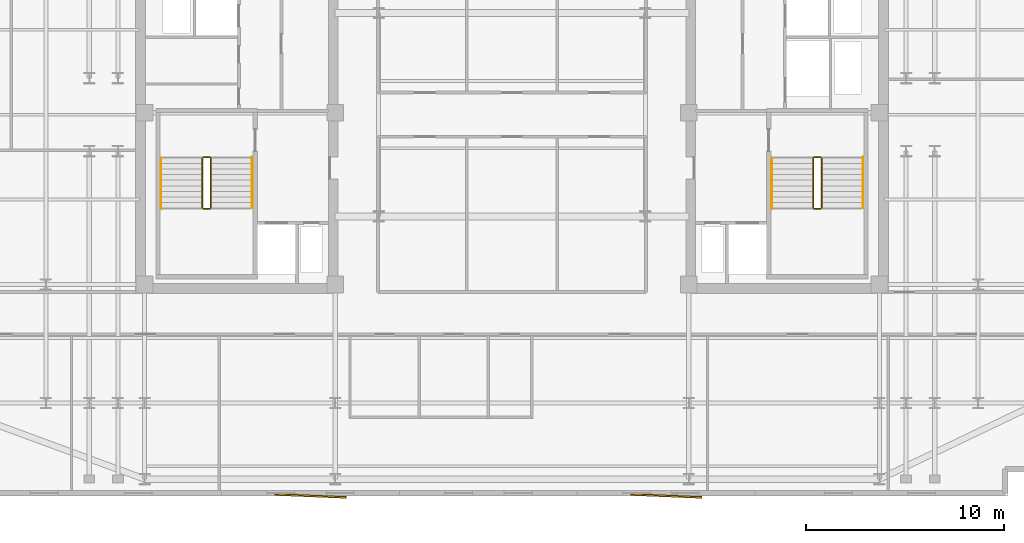
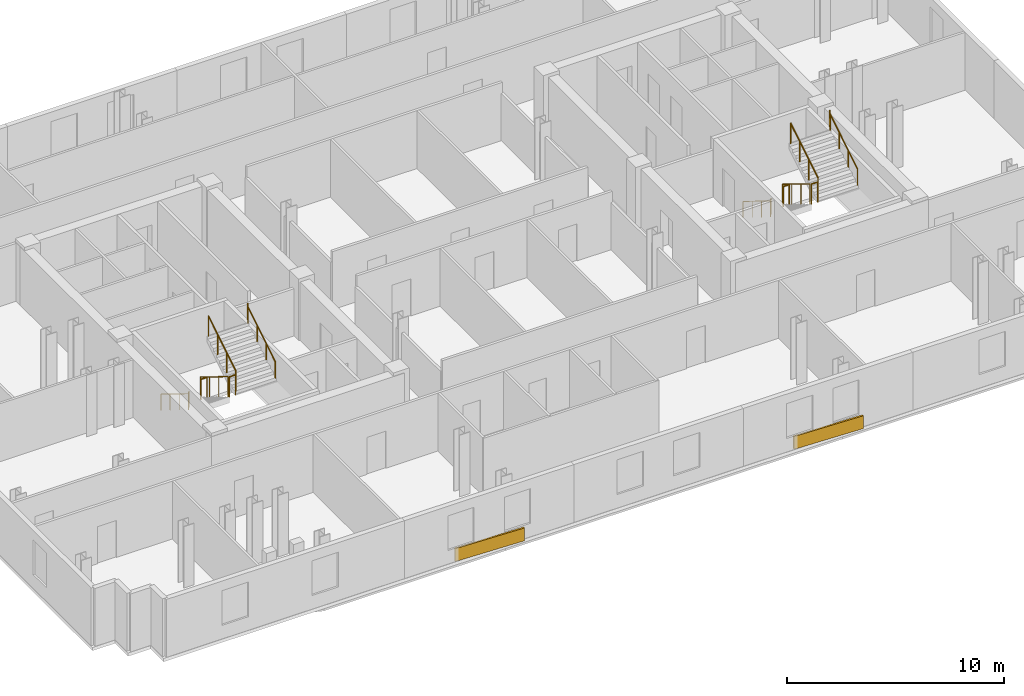
# One storey, part 8 of 9: 12 railings, 2 coverings.
"""IFC4 building model written with IfcOpenShell, lengths in metres."""

import ifcopenshell
import ifcopenshell.guid

model = None  # the IFC model being written
_history = None  # IfcOwnerHistory: only IFC2X3 demands one
_inside = {}  # id of a spatial element -> (the spatial element, [elements in it])
_under = {}  # id of a project, library or spatial element -> (it, [spatial elements below it])
_declared = {}  # id of a project -> (the project, [libraries it declares])
_typed = {}  # id of a type object -> (the type object, [elements of that type])
_made_of = {}  # id of a material, layer set ... -> (it, [elements and type objects made of it])


def new_model(schema):
    """Start an empty IFC model of exactly this schema.

    Asked for "IFC4X3", IfcOpenShell would pick the latest addendum, in which some entities
    have other attributes; the version numbers below select the first issue.
    IFC2X3 requires an IfcOwnerHistory on every rooted entity: one is made here for all.
    """
    global model, _history
    if schema == "IFC4X3":
        model = ifcopenshell.file(schema_version=(4, 3, 0, 0))
    else:
        model = ifcopenshell.file(schema=schema)
    _inside.clear()
    _under.clear()
    _declared.clear()
    _typed.clear()
    _made_of.clear()
    _history = None
    if model.schema == "IFC2X3":
        org = make("IfcOrganization", Name="unknown")
        user = make(
            "IfcPersonAndOrganization",
            ThePerson=make("IfcPerson", FamilyName="unknown"),
            TheOrganization=org,
        )
        app = make(
            "IfcApplication",
            ApplicationDeveloper=org,
            Version="unknown",
            ApplicationFullName="unknown",
            ApplicationIdentifier="unknown",
        )
        _history = make(
            "IfcOwnerHistory",
            OwningUser=user,
            OwningApplication=app,
            ChangeAction="ADDED",
            CreationDate=0,
        )
    return model


def make(cls, **values):
    """One entity of the class cls with the attributes given. An attribute that is None is left unset."""
    return model.create_entity(
        cls, **{name: value for name, value in values.items() if value is not None}
    )


def rooted(cls, **values):
    """An entity with a GlobalId (a new one), such as an element, a storey or a relation."""
    return make(cls, GlobalId=ifcopenshell.guid.new(), OwnerHistory=_history, **values)


def si_unit(unit_type, name, prefix=None):
    """IfcSIUnit, for example si_unit("LENGTHUNIT", "METRE", prefix="MILLI")."""
    return make("IfcSIUnit", UnitType=unit_type, Prefix=prefix, Name=name)


def assignment(units):
    """IfcUnitAssignment: the units of a project."""
    return None if units is None else make("IfcUnitAssignment", Units=units)


def point(xyz):
    """IfcCartesianPoint."""
    return None if xyz is None else make("IfcCartesianPoint", Coordinates=xyz)


def direction(xyz):
    """IfcDirection."""
    return None if xyz is None else make("IfcDirection", DirectionRatios=xyz)


def frame(location, z_axis=None, x_axis=None):
    """IfcAxis2Placement3D, a coordinate frame: its origin and axes. An axis left out is left unset."""
    return make(
        "IfcAxis2Placement3D",
        Location=point(location),
        Axis=direction(z_axis),
        RefDirection=direction(x_axis),
    )


def frame_2d(location, x_axis=None):
    """IfcAxis2Placement2D, a coordinate frame in the plane: its origin and x axis."""
    return make(
        "IfcAxis2Placement2D", Location=point(location), RefDirection=direction(x_axis)
    )


def origin():
    """The frame at (0, 0, 0) with its axes left unset."""
    return frame((0.0, 0.0, 0.0))


def origin_2d():
    """The frame at (0, 0) in the plane with its x axis left unset."""
    return frame_2d((0.0, 0.0))


def place(relative_to, where):
    """IfcLocalPlacement: puts the frame where relative to a parent placement (None: the world)."""
    return make(
        "IfcLocalPlacement", PlacementRelTo=relative_to, RelativePlacement=where
    )


def context(
    kind, dimensions, precision=None, world=None, true_north=None, identifier=None
):
    """IfcGeometricRepresentationContext, for example the 3D "Model" context."""
    return make(
        "IfcGeometricRepresentationContext",
        ContextIdentifier=identifier,
        ContextType=kind,
        CoordinateSpaceDimension=dimensions,
        Precision=precision,
        WorldCoordinateSystem=world,
        TrueNorth=true_north,
    )


def subcontext(parent, identifier, kind, view, scale=None):
    """IfcGeometricRepresentationSubContext, for example "Body" below "Model"."""
    return make(
        "IfcGeometricRepresentationSubContext",
        ContextIdentifier=identifier,
        ContextType=kind,
        ParentContext=parent,
        TargetScale=scale,
        TargetView=view,
    )


def project(units=None, contexts=None):
    """IfcProject with its units and contexts."""
    return rooted(
        "IfcProject",
        Name="project",
        RepresentationContexts=contexts,
        UnitsInContext=assignment(units),
    )


def spatial(cls, under=None, at=None, **own):
    """A site, building, storey or space (cls), placed at a placement, below another one or the project."""
    s = rooted(cls, ObjectPlacement=at, **own)
    if under is not None:
        _under.setdefault(under.id(), (under, []))[1].append(s)
    return s


def profile(cls, at=None, kind="AREA", **sizes):
    """A parametric profile (cls). Its sizes go by their IFC names, for example OverallWidth=200.0."""
    return make(cls, ProfileType=kind, Position=at, **sizes)


def rectangle(**sizes):
    """IfcRectangleProfileDef."""
    return profile("IfcRectangleProfileDef", **sizes)


def circle(**sizes):
    """IfcCircleProfileDef."""
    return profile("IfcCircleProfileDef", **sizes)


def extrude(swept, where, along, depth):
    """IfcExtrudedAreaSolid: the profile swept, set in the frame where, extruded along a direction by depth."""
    return make(
        "IfcExtrudedAreaSolid",
        SweptArea=swept,
        Position=where,
        ExtrudedDirection=direction(along),
        Depth=depth,
    )


def shape(context_of_items, identifier, shape_type, items):
    """IfcShapeRepresentation: the items that make up one representation, for example the "Body"."""
    return make(
        "IfcShapeRepresentation",
        ContextOfItems=context_of_items,
        RepresentationIdentifier=identifier,
        RepresentationType=shape_type,
        Items=items,
    )


def material(Name=None, Category=None):
    """IfcMaterial."""
    return make("IfcMaterial", Name=Name, Category=Category)


def layer(
    of_material, thickness, ventilated=None, Name=None, Category=None, Priority=None
):
    """IfcMaterialLayer: one layer of a wall or slab, of a material (None: an air gap)."""
    return make(
        "IfcMaterialLayer",
        Material=of_material,
        LayerThickness=thickness,
        IsVentilated=ventilated,
        Name=Name,
        Category=Category,
        Priority=Priority,
    )


def layer_set(layers, Name=None):
    """IfcMaterialLayerSet."""
    return make("IfcMaterialLayerSet", MaterialLayers=layers, LayerSetName=Name)


def made_of(thing, what):
    """Note that an element or type object is made of a material, layer set ...; save() writes the relation."""
    if what is not None:
        _made_of.setdefault(what.id(), (what, []))[1].append(thing)
    return thing


def type_object(cls, material=None, **own):
    """A type object (cls), such as IfcWallType, which elements share."""
    return made_of(rooted(cls, **own), material)


def element(
    cls,
    number,
    at=None,
    inside=None,
    cuts=None,
    type_object=None,
    material=None,
    context=None,
    identifier="Body",
    shape_type=None,
    held_by="IfcProductDefinitionShape",
    body=None,
    shapes=None,
    **own,
):
    """One element of the class cls, such as IfcWall. Its Tag is "e" and its number.

    at: its placement. inside: the storey or other place that contains it. cuts: it is an
    opening in that element (IfcRelVoidsElement). A single representation is given by context,
    identifier, shape_type and body (its items); several are given by shapes. held_by: the class
    of the entity that holds the representations. save() writes the other relations.
    """
    e = rooted(cls, Tag="e%d" % number, ObjectPlacement=at, **own)
    if body is not None:
        shapes = [shape(context, identifier, shape_type, body)]
    if shapes is not None:
        e.Representation = make(held_by, Representations=shapes)
    if inside is not None:
        _inside.setdefault(inside.id(), (inside, []))[1].append(e)
    if cuts is not None:
        rooted(
            "IfcRelVoidsElement", RelatingBuildingElement=cuts, RelatedOpeningElement=e
        )
    if type_object is not None:
        _typed.setdefault(type_object.id(), (type_object, []))[1].append(e)
    return made_of(e, material)


def aggregate(whole, parts):
    """IfcRelAggregates: a whole, such as a stair, and the parts it consists of."""
    return rooted("IfcRelAggregates", RelatingObject=whole, RelatedObjects=parts)


def save(model, path):
    """Write the relations noted so far, then the file.

    IfcRelAggregates (storeys below a building ...), IfcRelContainedInSpatialStructure (elements
    in a storey), IfcRelDefinesByType, IfcRelAssociatesMaterial and IfcRelDeclares: one each for
    every whole, place, type object, material and project.
    """
    for whole, parts in _under.values():
        aggregate(whole, parts)
    for where, things in _inside.values():
        rooted(
            "IfcRelContainedInSpatialStructure",
            RelatedElements=things,
            RelatingStructure=where,
        )
    for kind, things in _typed.values():
        rooted("IfcRelDefinesByType", RelatedObjects=things, RelatingType=kind)
    for what, things in _made_of.values():
        rooted("IfcRelAssociatesMaterial", RelatedObjects=things, RelatingMaterial=what)
    for by, libraries in _declared.values():
        rooted("IfcRelDeclares", RelatingContext=by, RelatedDefinitions=libraries)
    model.write(path)


model = new_model("IFC4")

# Units and contexts
model_context = context("Model", 3, precision=1e-05, world=origin(), true_north=direction((0.0, 1.0)))
body_context = subcontext(model_context, "Body", "Model", "MODEL_VIEW")
ifc_project = project(units=[si_unit("LENGTHUNIT", "METRE"), si_unit("AREAUNIT", "SQUARE_METRE"), si_unit("VOLUMEUNIT", "CUBIC_METRE"), si_unit("PLANEANGLEUNIT", "RADIAN"), si_unit("MASSUNIT", "GRAM", prefix="KILO")], contexts=[model_context])

# Site, building, storey
site_placement = place(None, origin())
site = spatial("IfcSite", under=ifc_project, at=site_placement, CompositionType="ELEMENT")
building_placement = place(site_placement, origin())
building = spatial("IfcBuilding", under=site, at=building_placement, Name="Velakula Bourse", CompositionType="ELEMENT")
storey_placement = place(building_placement, frame((0.0, 0.0, 232.64990234375)))
storey = spatial("IfcBuildingStorey", under=building, at=storey_placement, Name="L63", CompositionType="ELEMENT", Elevation=232.64990234375)

# Coverings
ifc_material_1 = material(Name="Red kilned clay facing brick masonry", Category="masonry")
ifc_layer = layer(ifc_material_1, 0.090087890625, Name="Red kilned clay facing brick masonry", Category="masonry")
ifc_layer_set = layer_set([ifc_layer], Name="Red kilned clay facing brick masonry")
covering_type = type_object("IfcCoveringType", Name="COV-BRK-FOLD-90", PredefinedType="CLADDING", material=ifc_layer_set)
for number, where, z_axis, x_axis, name in (
    (1, (-10.199951171875, -19.300048828125, 0.0), (0.0, 0.0, 1.0), (0.999158993058, -0.041003738744, 0.0), "L63 Folded Brick Facade Cladding Panel S-B2"),
    (2, (7.800048828125, -19.300048828125, 0.0), (0.0, 0.0, 1.0), (0.999158993058, -0.041003738744, 0.0), "L63 Folded Brick Facade Cladding Panel S-B4"),
):
    element("IfcCovering", number, at=place(storey_placement, frame(where, z_axis=z_axis, x_axis=x_axis)), inside=storey, type_object=covering_type, Name=name, PredefinedType="CLADDING", context=body_context, shape_type="SweptSolid", body=[
        extrude(rectangle(XDim=3.60009765625, YDim=0.090087890625, at=origin_2d()), origin(), (0.0, 0.0, 1.0), 0.719970703125),
    ])

# Railings
ifc_material_2 = material(Name="Brushed grade 316 stainless steel", Category="steel")
railing_type_1 = type_object("IfcRailingType", Name="RLG-STAIR-GUARD-1150", PredefinedType="BALUSTRADE", material=ifc_material_2)
railing_1_placement = place(storey_placement, frame((-15.672119140625, -2.199951171875, 0.172607421875)))
element("IfcRailing", 3, at=railing_1_placement, inside=storey, type_object=railing_type_1, Name="L63 ST-W1 stair guard 1", PredefinedType="BALUSTRADE", context=body_context, shape_type="SweptSolid", body=[
    extrude(circle(Radius=0.02490234375, at=origin_2d()), frame((0.0, 0.0, 1.125), z_axis=(0.0, -0.851400495292, 0.524516154772), x_axis=(1.0, 0.0, 0.0)), (0.0, 0.0, 1.0), 2.9599609375),
    extrude(circle(Radius=0.02099609375, at=origin_2d()), origin(), (0.0, 0.0, 1.0), 1.099853515625),
    extrude(circle(Radius=0.02099609375, at=origin_2d()), frame((0.0, -0.840087890625, 0.517578125)), (0.0, 0.0, 1.0), 1.099853515625),
    extrude(circle(Radius=0.02099609375, at=origin_2d()), frame((0.0, -1.679931640625, 1.034912109375)), (0.0, 0.0, 1.0), 1.099853515625),
    extrude(circle(Radius=0.02099609375, at=origin_2d()), frame((0.0, -2.52001953125, 1.552490234375)), (0.0, 0.0, 1.0), 1.099853515625),
])
railing_2_placement = place(storey_placement, frame((-15.6220703125, -4.77001953125, 1.72509765625)))
element("IfcRailing", 4, at=railing_2_placement, inside=storey, type_object=railing_type_1, Name="L63 ST-W1 stair guard 2", PredefinedType="BALUSTRADE", context=body_context, shape_type="SweptSolid", body=[
    extrude(circle(Radius=0.02490234375, at=origin_2d()), frame((0.0, 0.0, 1.125), z_axis=(1.0, 0.0, 0.0), x_axis=(0.0, 1.0, 0.0)), (0.0, 0.0, 1.0), 0.323974609375),
    extrude(circle(Radius=0.02099609375, at=origin_2d()), origin(), (0.0, 0.0, 1.0), 1.099853515625),
    extrude(circle(Radius=0.02099609375, at=origin_2d()), frame((0.323974609375, 0.0, 0.0)), (0.0, 0.0, 1.0), 1.099853515625),
])
railing_3_placement = place(storey_placement, frame((-15.248046875, -4.719970703125, 1.897705078125)))
element("IfcRailing", 5, at=railing_3_placement, inside=storey, type_object=railing_type_1, Name="L63 ST-W1 stair guard 3", PredefinedType="BALUSTRADE", context=body_context, shape_type="SweptSolid", body=[
    extrude(circle(Radius=0.02490234375, at=origin_2d()), frame((0.0, 0.0, 1.125), z_axis=(0.0, 0.851400495292, 0.524516154772), x_axis=(-1.0, 0.0, 0.0)), (0.0, 0.0, 1.0), 2.9599609375),
    extrude(circle(Radius=0.02099609375, at=origin_2d()), origin(), (0.0, 0.0, 1.0), 1.099853515625),
    extrude(circle(Radius=0.02099609375, at=origin_2d()), frame((0.0, 0.840087890625, 0.517578125)), (0.0, 0.0, 1.0), 1.099853515625),
    extrude(circle(Radius=0.02099609375, at=origin_2d()), frame((0.0, 1.679931640625, 1.034912109375)), (0.0, 0.0, 1.0), 1.099853515625),
    extrude(circle(Radius=0.02099609375, at=origin_2d()), frame((0.0, 2.52001953125, 1.552490234375)), (0.0, 0.0, 1.0), 1.099853515625),
])
railing_4_placement = place(storey_placement, frame((-15.6220703125, -2.14990234375, 0.0)))
element("IfcRailing", 6, at=railing_4_placement, inside=storey, type_object=railing_type_1, Name="L63 ST-W1 stair guard 4", PredefinedType="BALUSTRADE", context=body_context, shape_type="SweptSolid", body=[
    extrude(circle(Radius=0.02490234375, at=origin_2d()), frame((0.0, 0.0, 1.125), z_axis=(1.0, 0.0, 0.0), x_axis=(0.0, 1.0, 0.0)), (0.0, 0.0, 1.0), 0.323974609375),
    extrude(circle(Radius=0.02099609375, at=origin_2d()), origin(), (0.0, 0.0, 1.0), 1.099853515625),
    extrude(circle(Radius=0.02099609375, at=origin_2d()), frame((0.323974609375, 0.0, 0.0)), (0.0, 0.0, 1.0), 1.099853515625),
])
railing_5_placement = place(storey_placement, frame((15.248046875, -2.199951171875, 0.172607421875)))
element("IfcRailing", 7, at=railing_5_placement, inside=storey, type_object=railing_type_1, Name="L63 ST-E1 stair guard 1", PredefinedType="BALUSTRADE", context=body_context, shape_type="SweptSolid", body=[
    extrude(circle(Radius=0.02490234375, at=origin_2d()), frame((0.0, 0.0, 1.125), z_axis=(0.0, -0.851400495292, 0.524516154772), x_axis=(1.0, 0.0, 0.0)), (0.0, 0.0, 1.0), 2.9599609375),
    extrude(circle(Radius=0.02099609375, at=origin_2d()), origin(), (0.0, 0.0, 1.0), 1.099853515625),
    extrude(circle(Radius=0.02099609375, at=origin_2d()), frame((0.0, -0.840087890625, 0.517578125)), (0.0, 0.0, 1.0), 1.099853515625),
    extrude(circle(Radius=0.02099609375, at=origin_2d()), frame((0.0, -1.679931640625, 1.034912109375)), (0.0, 0.0, 1.0), 1.099853515625),
    extrude(circle(Radius=0.02099609375, at=origin_2d()), frame((0.0, -2.52001953125, 1.552490234375)), (0.0, 0.0, 1.0), 1.099853515625),
])
railing_6_placement = place(storey_placement, frame((15.298095703125, -4.77001953125, 1.72509765625)))
element("IfcRailing", 8, at=railing_6_placement, inside=storey, type_object=railing_type_1, Name="L63 ST-E1 stair guard 2", PredefinedType="BALUSTRADE", context=body_context, shape_type="SweptSolid", body=[
    extrude(circle(Radius=0.02490234375, at=origin_2d()), frame((0.0, 0.0, 1.125), z_axis=(1.0, 0.0, 0.0), x_axis=(0.0, 1.0, 0.0)), (0.0, 0.0, 1.0), 0.323974609375),
    extrude(circle(Radius=0.02099609375, at=origin_2d()), origin(), (0.0, 0.0, 1.0), 1.099853515625),
    extrude(circle(Radius=0.02099609375, at=origin_2d()), frame((0.323974609375, 0.0, 0.0)), (0.0, 0.0, 1.0), 1.099853515625),
])
railing_7_placement = place(storey_placement, frame((15.672119140625, -4.719970703125, 1.897705078125)))
element("IfcRailing", 9, at=railing_7_placement, inside=storey, type_object=railing_type_1, Name="L63 ST-E1 stair guard 3", PredefinedType="BALUSTRADE", context=body_context, shape_type="SweptSolid", body=[
    extrude(circle(Radius=0.02490234375, at=origin_2d()), frame((0.0, 0.0, 1.125), z_axis=(0.0, 0.851400495292, 0.524516154772), x_axis=(-1.0, 0.0, 0.0)), (0.0, 0.0, 1.0), 2.9599609375),
    extrude(circle(Radius=0.02099609375, at=origin_2d()), origin(), (0.0, 0.0, 1.0), 1.099853515625),
    extrude(circle(Radius=0.02099609375, at=origin_2d()), frame((0.0, 0.840087890625, 0.517578125)), (0.0, 0.0, 1.0), 1.099853515625),
    extrude(circle(Radius=0.02099609375, at=origin_2d()), frame((0.0, 1.679931640625, 1.034912109375)), (0.0, 0.0, 1.0), 1.099853515625),
    extrude(circle(Radius=0.02099609375, at=origin_2d()), frame((0.0, 2.52001953125, 1.552490234375)), (0.0, 0.0, 1.0), 1.099853515625),
])
railing_8_placement = place(storey_placement, frame((15.298095703125, -2.14990234375, 0.0)))
element("IfcRailing", 10, at=railing_8_placement, inside=storey, type_object=railing_type_1, Name="L63 ST-E1 stair guard 4", PredefinedType="BALUSTRADE", context=body_context, shape_type="SweptSolid", body=[
    extrude(circle(Radius=0.02490234375, at=origin_2d()), frame((0.0, 0.0, 1.125), z_axis=(1.0, 0.0, 0.0), x_axis=(0.0, 1.0, 0.0)), (0.0, 0.0, 1.0), 0.323974609375),
    extrude(circle(Radius=0.02099609375, at=origin_2d()), origin(), (0.0, 0.0, 1.0), 1.099853515625),
    extrude(circle(Radius=0.02099609375, at=origin_2d()), frame((0.323974609375, 0.0, 0.0)), (0.0, 0.0, 1.0), 1.099853515625),
])
railing_type_2 = type_object("IfcRailingType", Name="RLG-STAIR-HAND-920", PredefinedType="HANDRAIL", material=ifc_material_2)
railing_9_placement = place(storey_placement, frame((-17.77001953125, -2.199951171875, 0.172607421875)))
element("IfcRailing", 11, at=railing_9_placement, inside=storey, type_object=railing_type_2, Name="L63 ST-W1 stair handrail 1", PredefinedType="HANDRAIL", context=body_context, shape_type="SweptSolid", body=[
    extrude(circle(Radius=0.02099609375, at=origin_2d()), frame((0.0, 0.0, 0.89892578125), z_axis=(0.0, -0.851400495292, 0.524516154772), x_axis=(1.0, 0.0, 0.0)), (0.0, 0.0, 1.0), 2.9599609375),
    extrude(circle(Radius=0.02099609375, at=origin_2d()), frame((0.0, -2.52001953125, 2.451416015625), z_axis=(0.0, -0.22596628056, 0.974135124123), x_axis=(1.0, 0.0, 0.0)), (0.0, 0.0, 1.0), 0.17724609375),
    extrude(circle(Radius=0.02099609375, at=origin_2d()), frame((0.0, -2.56005859375, 2.6240234375), z_axis=(0.0, -1.0, 0.0), x_axis=(1.0, 0.0, 0.0)), (0.0, 0.0, 1.0), 0.0048828125),
    extrude(circle(Radius=0.02099609375, at=origin_2d()), origin(), (0.0, 0.0, 1.0), 0.8779296875),
    extrude(circle(Radius=0.02099609375, at=origin_2d()), frame((0.0, -0.840087890625, 0.517578125)), (0.0, 0.0, 1.0), 0.8779296875),
    extrude(circle(Radius=0.02099609375, at=origin_2d()), frame((0.0, -1.679931640625, 1.034912109375)), (0.0, 0.0, 1.0), 0.8779296875),
    extrude(circle(Radius=0.02099609375, at=origin_2d()), frame((0.0, -2.52001953125, 1.552490234375)), (0.0, 0.0, 1.0), 0.8779296875),
    extrude(circle(Radius=0.02099609375, at=origin_2d()), frame((0.0, -2.56005859375, 1.72509765625)), (0.0, 0.0, 1.0), 0.8779296875),
    extrude(circle(Radius=0.02099609375, at=origin_2d()), frame((0.0, -2.56494140625, 1.72509765625)), (0.0, 0.0, 1.0), 0.8779296875),
])
railing_10_placement = place(storey_placement, frame((-13.14990234375, -4.719970703125, 1.897705078125)))
element("IfcRailing", 12, at=railing_10_placement, inside=storey, type_object=railing_type_2, Name="L63 ST-W1 stair handrail 2", PredefinedType="HANDRAIL", context=body_context, shape_type="SweptSolid", body=[
    extrude(circle(Radius=0.02099609375, at=origin_2d()), frame((0.0, 0.0, 0.89892578125), z_axis=(0.0, 0.851400495292, 0.524516154772), x_axis=(-1.0, 0.0, 0.0)), (0.0, 0.0, 1.0), 2.9599609375),
    extrude(circle(Radius=0.02099609375, at=origin_2d()), frame((0.0, 2.52001953125, 2.451416015625), z_axis=(0.0, 0.226269970362, 0.974064628509), x_axis=(-1.0, 0.0, 0.0)), (0.0, 0.0, 1.0), 0.177001953125),
    extrude(circle(Radius=0.02099609375, at=origin_2d()), frame((0.0, 2.56005859375, 2.623779296875), z_axis=(0.0, 1.0, 0.0), x_axis=(-1.0, 0.0, 0.0)), (0.0, 0.0, 1.0), 0.0048828125),
    extrude(circle(Radius=0.02099609375, at=origin_2d()), origin(), (0.0, 0.0, 1.0), 0.8779296875),
    extrude(circle(Radius=0.02099609375, at=origin_2d()), frame((0.0, 0.840087890625, 0.517578125)), (0.0, 0.0, 1.0), 0.8779296875),
    extrude(circle(Radius=0.02099609375, at=origin_2d()), frame((0.0, 1.679931640625, 1.034912109375)), (0.0, 0.0, 1.0), 0.8779296875),
    extrude(circle(Radius=0.02099609375, at=origin_2d()), frame((0.0, 2.52001953125, 1.552490234375)), (0.0, 0.0, 1.0), 0.8779296875),
    extrude(circle(Radius=0.02099609375, at=origin_2d()), frame((0.0, 2.56005859375, 1.724853515625)), (0.0, 0.0, 1.0), 0.8779296875),
    extrude(circle(Radius=0.02099609375, at=origin_2d()), frame((0.0, 2.56494140625, 1.724853515625)), (0.0, 0.0, 1.0), 0.8779296875),
])
railing_11_placement = place(storey_placement, frame((13.14990234375, -2.199951171875, 0.172607421875)))
element("IfcRailing", 13, at=railing_11_placement, inside=storey, type_object=railing_type_2, Name="L63 ST-E1 stair handrail 1", PredefinedType="HANDRAIL", context=body_context, shape_type="SweptSolid", body=[
    extrude(circle(Radius=0.02099609375, at=origin_2d()), frame((0.0, 0.0, 0.89892578125), z_axis=(0.0, -0.851400495292, 0.524516154772), x_axis=(1.0, 0.0, 0.0)), (0.0, 0.0, 1.0), 2.9599609375),
    extrude(circle(Radius=0.02099609375, at=origin_2d()), frame((0.0, -2.52001953125, 2.451416015625), z_axis=(0.0, -0.22596628056, 0.974135124123), x_axis=(1.0, 0.0, 0.0)), (0.0, 0.0, 1.0), 0.17724609375),
    extrude(circle(Radius=0.02099609375, at=origin_2d()), frame((0.0, -2.56005859375, 2.6240234375), z_axis=(0.0, -1.0, 0.0), x_axis=(1.0, 0.0, 0.0)), (0.0, 0.0, 1.0), 0.0048828125),
    extrude(circle(Radius=0.02099609375, at=origin_2d()), origin(), (0.0, 0.0, 1.0), 0.8779296875),
    extrude(circle(Radius=0.02099609375, at=origin_2d()), frame((0.0, -0.840087890625, 0.517578125)), (0.0, 0.0, 1.0), 0.8779296875),
    extrude(circle(Radius=0.02099609375, at=origin_2d()), frame((0.0, -1.679931640625, 1.034912109375)), (0.0, 0.0, 1.0), 0.8779296875),
    extrude(circle(Radius=0.02099609375, at=origin_2d()), frame((0.0, -2.52001953125, 1.552490234375)), (0.0, 0.0, 1.0), 0.8779296875),
    extrude(circle(Radius=0.02099609375, at=origin_2d()), frame((0.0, -2.56005859375, 1.72509765625)), (0.0, 0.0, 1.0), 0.8779296875),
    extrude(circle(Radius=0.02099609375, at=origin_2d()), frame((0.0, -2.56494140625, 1.72509765625)), (0.0, 0.0, 1.0), 0.8779296875),
])
railing_12_placement = place(storey_placement, frame((17.77001953125, -4.719970703125, 1.897705078125)))
element("IfcRailing", 14, at=railing_12_placement, inside=storey, type_object=railing_type_2, Name="L63 ST-E1 stair handrail 2", PredefinedType="HANDRAIL", context=body_context, shape_type="SweptSolid", body=[
    extrude(circle(Radius=0.02099609375, at=origin_2d()), frame((0.0, 0.0, 0.89892578125), z_axis=(0.0, 0.851400495292, 0.524516154772), x_axis=(-1.0, 0.0, 0.0)), (0.0, 0.0, 1.0), 2.9599609375),
    extrude(circle(Radius=0.02099609375, at=origin_2d()), frame((0.0, 2.52001953125, 2.451416015625), z_axis=(0.0, 0.226269970362, 0.974064628509), x_axis=(-1.0, 0.0, 0.0)), (0.0, 0.0, 1.0), 0.177001953125),
    extrude(circle(Radius=0.02099609375, at=origin_2d()), frame((0.0, 2.56005859375, 2.623779296875), z_axis=(0.0, 1.0, 0.0), x_axis=(-1.0, 0.0, 0.0)), (0.0, 0.0, 1.0), 0.0048828125),
    extrude(circle(Radius=0.02099609375, at=origin_2d()), origin(), (0.0, 0.0, 1.0), 0.8779296875),
    extrude(circle(Radius=0.02099609375, at=origin_2d()), frame((0.0, 0.840087890625, 0.517578125)), (0.0, 0.0, 1.0), 0.8779296875),
    extrude(circle(Radius=0.02099609375, at=origin_2d()), frame((0.0, 1.679931640625, 1.034912109375)), (0.0, 0.0, 1.0), 0.8779296875),
    extrude(circle(Radius=0.02099609375, at=origin_2d()), frame((0.0, 2.52001953125, 1.552490234375)), (0.0, 0.0, 1.0), 0.8779296875),
    extrude(circle(Radius=0.02099609375, at=origin_2d()), frame((0.0, 2.56005859375, 1.724853515625)), (0.0, 0.0, 1.0), 0.8779296875),
    extrude(circle(Radius=0.02099609375, at=origin_2d()), frame((0.0, 2.56494140625, 1.724853515625)), (0.0, 0.0, 1.0), 0.8779296875),
])

save(model, "model.ifc")
